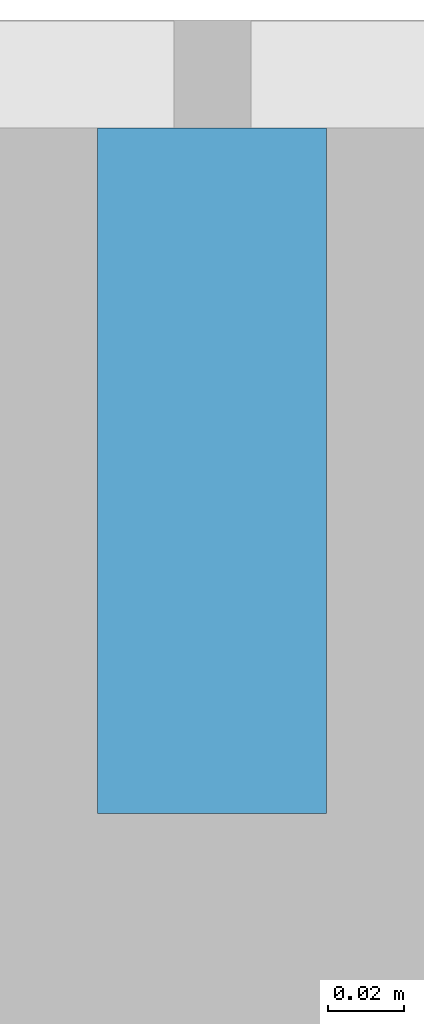
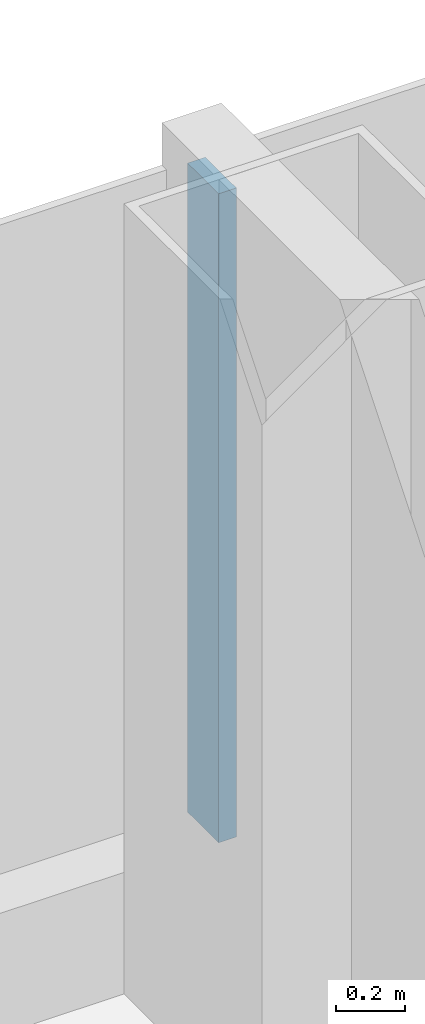
# One storey, part 10 of 29: 1 member, 1 element without a shape of its own.
"""IFC4 building model written with IfcOpenShell, lengths in metres."""

from ifc_helpers import new_model, si_unit, direction, frame, origin, origin_2d, place, context, subcontext, project, spatial, rectangle, extrude, material, layer, layer_set, material_profile, profile_set, type_object, element, aggregate, save


model = new_model("IFC4")

# Units and contexts
model_context = context("Model", 3, precision=1e-05, world=origin(), true_north=direction((0.0, 1.0)))
body_context = subcontext(model_context, "Body", "Model", "MODEL_VIEW")
ifc_project = project(units=[si_unit("LENGTHUNIT", "METRE"), si_unit("AREAUNIT", "SQUARE_METRE"), si_unit("VOLUMEUNIT", "CUBIC_METRE"), si_unit("PLANEANGLEUNIT", "RADIAN"), si_unit("MASSUNIT", "GRAM", prefix="KILO")], contexts=[model_context])

# Site, building, storey
site_placement = place(None, origin())
site = spatial("IfcSite", under=ifc_project, at=site_placement, CompositionType="ELEMENT")
building_placement = place(site_placement, origin())
building = spatial("IfcBuilding", under=site, at=building_placement, Name="Hakoniwa Tower and Hamabe Station Hall", CompositionType="ELEMENT")
storey_placement = place(building_placement, frame((0.0, 0.0, 101.0)))
storey = spatial("IfcBuildingStorey", under=building, at=storey_placement, Name="L28", CompositionType="ELEMENT", Elevation=101.0)

# Curtain wall, member
ifc_material_1 = material(Name="Dark low-e laminated glass", Category="glass")
ifc_layer = layer(ifc_material_1, 0.199951171875)
ifc_layer_set = layer_set([ifc_layer], Name="CW-1 UNITISED GUEST")
curtain_wall_type = type_object("IfcCurtainWallType", Name="CW-1 UNITISED GUEST", PredefinedType="NOTDEFINED", material=ifc_layer_set)
curtain_wall_placement = place(storey_placement, origin())
curtain_wall = element("IfcCurtainWall", 1, at=curtain_wall_placement, inside=storey, type_object=curtain_wall_type, Name="CW-1 curtain wall", PredefinedType="NOTDEFINED")
ifc_material_2 = material(Name="Aluminium 6063-T5 black anodised", Category="aluminium")
ifc_material_profile = material_profile(ifc_material_2, rectangle(XDim=0.06005859375, YDim=0.179931640625, at=origin_2d()), Name="CW-1 MULLION 60X180")
ifc_profile_set = profile_set([ifc_material_profile], Name="Aluminium 6063-T5 black anodised")
member_type = type_object("IfcMemberType", Name="CW-1 MULLION 60X180", PredefinedType="MULLION", material=ifc_profile_set)
member_placement = place(storey_placement, frame((8.39990234375, 23.431884765625, 0.35009765625), z_axis=(0.0, 0.0, 1.0), x_axis=(-1.0, 0.0, 0.0)))
member = element("IfcMember", 2, at=member_placement, type_object=member_type, Name="CW-1 mullion", PredefinedType="MULLION", context=body_context, shape_type="SweptSolid", body=[
    extrude(rectangle(XDim=0.06005859375, YDim=0.179931640625, at=origin_2d()), origin(), (0.0, 0.0, 1.0), 2.2998046875),
])
aggregate(curtain_wall, [member])

save(model, "model.ifc")
